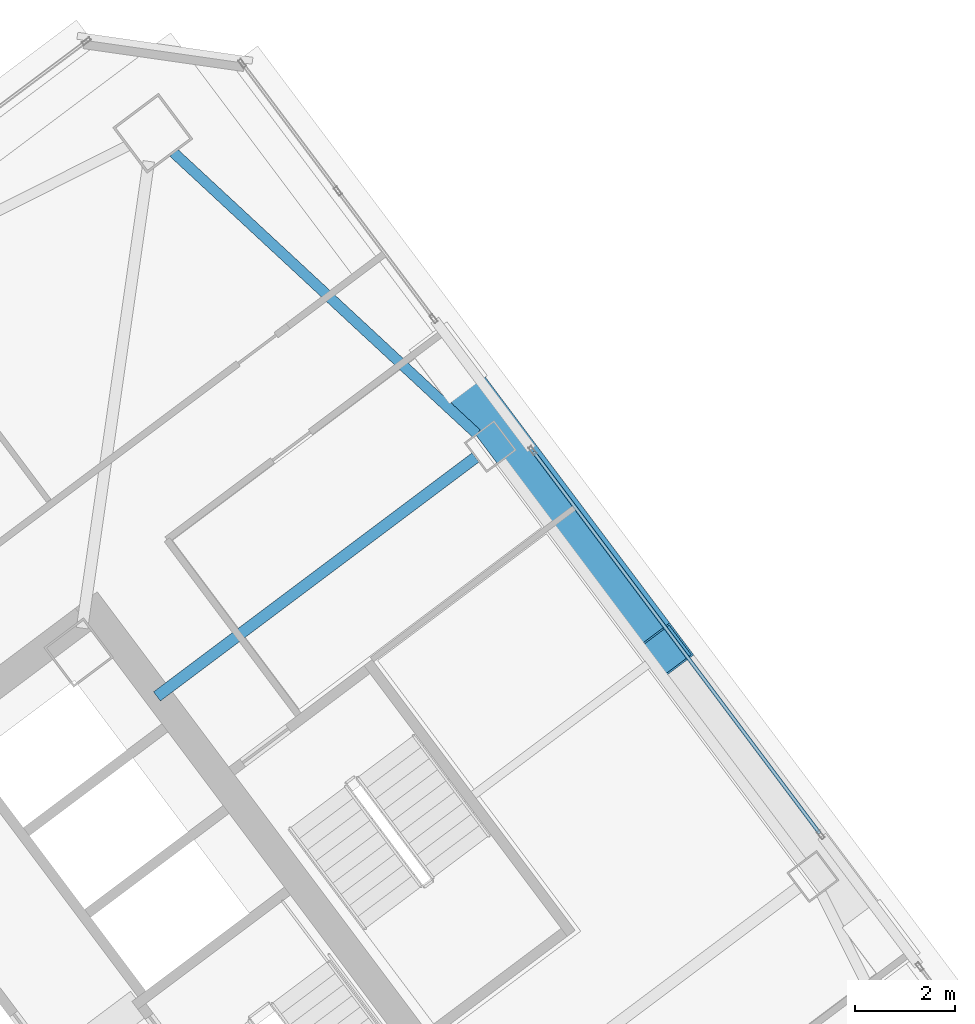
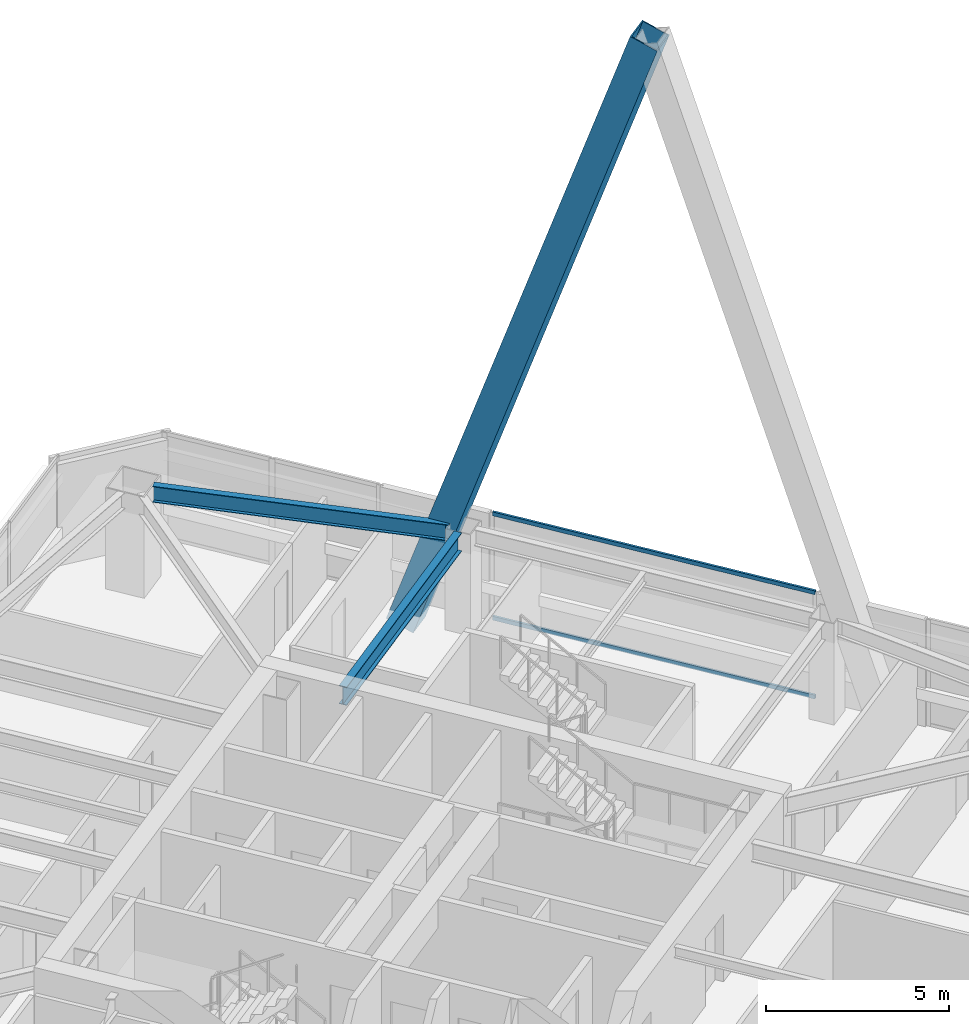
# One storey, part 41 of 55: 3 members, 2 beams, 1 element without a shape of its own.
"""IFC4 building model written with IfcOpenShell, lengths in metres."""

from ifc_helpers import new_model, si_unit, direction, frame, origin, origin_2d, place, context, subcontext, project, spatial, hollow_rectangle, i_section, extrude, material, material_profile, profile_set, type_object, element, aggregate, save


model = new_model("IFC4")

# Units and contexts
model_context = context("Model", 3, precision=1e-05, world=origin(), true_north=direction((0.0, 1.0)))
body_context = subcontext(model_context, "Body", "Model", "MODEL_VIEW")
ifc_project = project(units=[si_unit("LENGTHUNIT", "METRE"), si_unit("AREAUNIT", "SQUARE_METRE"), si_unit("VOLUMEUNIT", "CUBIC_METRE"), si_unit("PLANEANGLEUNIT", "RADIAN"), si_unit("MASSUNIT", "GRAM", prefix="KILO")], contexts=[model_context])

# Site, building, storey
site_placement = place(None, origin())
site = spatial("IfcSite", under=ifc_project, at=site_placement, CompositionType="ELEMENT")
building_placement = place(site_placement, origin())
building = spatial("IfcBuilding", under=site, at=building_placement, Name="Tashvorn Skyway Center", CompositionType="ELEMENT")
storey_placement = place(building_placement, frame((0.0, 0.0, 178.300048828125)))
storey = spatial("IfcBuildingStorey", under=building, at=storey_placement, Name="L48", CompositionType="ELEMENT", Elevation=178.300048828125)

# Beams
ifc_material_1 = material(Name="Steel ASTM A992 Grade 50", Category="steel")
ifc_material_profile_1 = material_profile(ifc_material_1, i_section(OverallWidth=0.22998046875, OverallDepth=0.616943359375, WebThickness=0.01318359375, FlangeThickness=0.022216796875, at=origin_2d()), Name="W24X94")
ifc_profile_set_1 = profile_set([ifc_material_profile_1], Name="Steel ASTM A992 Grade 50")
beam_type_1 = type_object("IfcBeamType", Name="BM-BEAM-W24X94", PredefinedType="BEAM", material=ifc_profile_set_1)
beam_1_placement = place(storey_placement, frame((123.384033203125, 45.7880859375, 3.0615234375), z_axis=(-0.800003662027, -0.599995117266, 0.0), x_axis=(0.599995117266, -0.800003662027, 0.0)))
element("IfcBeam", 1, at=beam_1_placement, inside=storey, type_object=beam_type_1, Name="Tower 2 L48 Primary Floor Girder FC-E2", PredefinedType="BEAM", context=body_context, shape_type="SweptSolid", body=[
    extrude(i_section(OverallWidth=0.22998046875, OverallDepth=0.616943359375, WebThickness=0.01318359375, FlangeThickness=0.022216796875, at=origin_2d()), origin(), (0.0, 0.0, 1.0), 8.000244140625),
])
ifc_material_profile_2 = material_profile(ifc_material_1, i_section(OverallWidth=0.2109375, OverallDepth=0.5390625, WebThickness=0.01171875, FlangeThickness=0.018798828125, at=origin_2d()), Name="W21X73")
ifc_profile_set_2 = profile_set([ifc_material_profile_2], Name="Steel ASTM A992 Grade 50")
beam_type_2 = type_object("IfcBeamType", Name="BM-SPANDREL-W21X73", PredefinedType="SPANDREL", material=ifc_profile_set_2)
beam_2_placement = place(storey_placement, frame((123.40869140625, 46.26171875, 3.100341796875), z_axis=(-0.733101115618, 0.680119661736, 0.0), x_axis=(-0.680119661736, -0.733101115618, 0.0)))
element("IfcBeam", 2, at=beam_2_placement, inside=storey, type_object=beam_type_2, Name="Tower 2 L48 Spandrel Beam 06", PredefinedType="SPANDREL", context=body_context, shape_type="SweptSolid", body=[
    extrude(i_section(OverallWidth=0.2109375, OverallDepth=0.5390625, WebThickness=0.01171875, FlangeThickness=0.018798828125, at=origin_2d()), origin(), (0.0, 0.0, 1.0), 8.308349609375),
])

# Curtain wall, members
ifc_material_2 = material(Name="Thermally broken bronze-anodized aluminium 6063-T6", Category="aluminium")
curtain_wall_type = type_object("IfcCurtainWallType", Name="CW-CW-Z4", PredefinedType="NOTDEFINED", material=ifc_material_2)
curtain_wall_placement = place(storey_placement, origin())
curtain_wall = element("IfcCurtainWall", 3, at=curtain_wall_placement, inside=storey, type_object=curtain_wall_type, Name="Tower 2 L48 East Unitised Curtain Wall Glazing Group 2", PredefinedType="NOTDEFINED")
ifc_material_profile_3 = material_profile(ifc_material_2, hollow_rectangle(XDim=0.070068359375, YDim=0.1298828125, WallThickness=0.00390625, at=origin_2d()), Name="ALU-TRAN-70x130")
ifc_profile_set_3 = profile_set([ifc_material_profile_3], Name="Thermally broken bronze-anodized aluminium 6063-T6")
member_type_1 = type_object("IfcMemberType", Name="CWT-CW-Z4", PredefinedType="USERDEFINED", material=ifc_profile_set_3)
member_1_placement = place(storey_placement, frame((124.550048828125, 45.89990234375, 0.034912109375), z_axis=(0.600012232595, -0.799990825408, 0.0), x_axis=(0.799990825408, 0.600012232595, 0.0)))
member_1 = element("IfcMember", 4, at=member_1_placement, type_object=member_type_1, Name="CW-Z4 transom 1.1", ObjectType="TRANSOM", PredefinedType="USERDEFINED", context=body_context, shape_type="SweptSolid", body=[
    extrude(hollow_rectangle(XDim=0.070068359375, YDim=0.1298828125, WallThickness=0.00390625, at=origin_2d()), origin(), (0.0, 0.0, 1.0), 9.579833984375),
])
member_2_placement = place(storey_placement, frame((124.550048828125, 45.89990234375, 3.514892578125), z_axis=(0.600012232595, -0.799990825408, 0.0), x_axis=(0.799990825408, 0.600012232595, 0.0)))
member_2 = element("IfcMember", 5, at=member_2_placement, type_object=member_type_1, Name="CW-Z4 transom 1.2", ObjectType="TRANSOM", PredefinedType="USERDEFINED", context=body_context, shape_type="SweptSolid", body=[
    extrude(hollow_rectangle(XDim=0.070068359375, YDim=0.1298828125, WallThickness=0.00390625, at=origin_2d()), origin(), (0.0, 0.0, 1.0), 9.579833984375),
])
aggregate(curtain_wall, [member_1, member_2])

# Member
ifc_material_3 = material(Name="Steel ASTM A572 Grade 50", Category="steel")
ifc_material_profile_4 = material_profile(ifc_material_3, hollow_rectangle(XDim=0.85009765625, YDim=0.85009765625, WallThickness=0.034912109375, at=origin_2d()), Name="BOX850x850x35")
ifc_profile_set_4 = profile_set([ifc_material_profile_4], Name="Steel ASTM A572 Grade 50")
member_type_2 = type_object("IfcMemberType", Name="MEM-MB-850", PredefinedType="BRACE", material=ifc_profile_set_4)
member_3_placement = place(storey_placement, frame((122.833984375, 47.68798828125, -0.449951171875), z_axis=(0.192527485375, -0.256699712092, 0.947121124876), x_axis=(0.799995959088, 0.600005387845, 0.0)))
element("IfcMember", 6, at=member_3_placement, inside=storey, type_object=member_type_2, Name="Tower 2 Zone 4 E Chevron Mega-Brace R2", PredefinedType="BRACE", context=body_context, shape_type="SweptSolid", body=[
    extrude(hollow_rectangle(XDim=0.85009765625, YDim=0.85009765625, WallThickness=0.034912109375, at=origin_2d()), origin(), (0.0, 0.0, 1.0), 22.5947265625),
])

save(model, "model.ifc")
